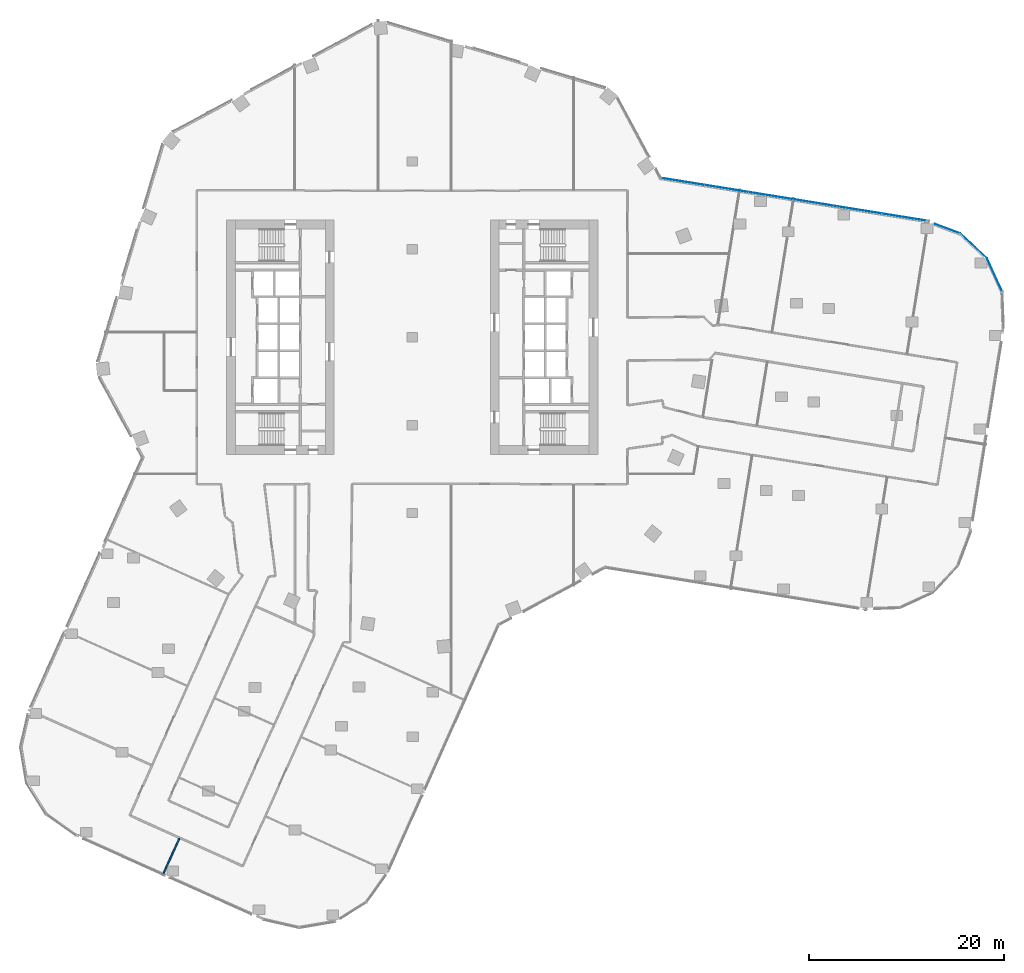
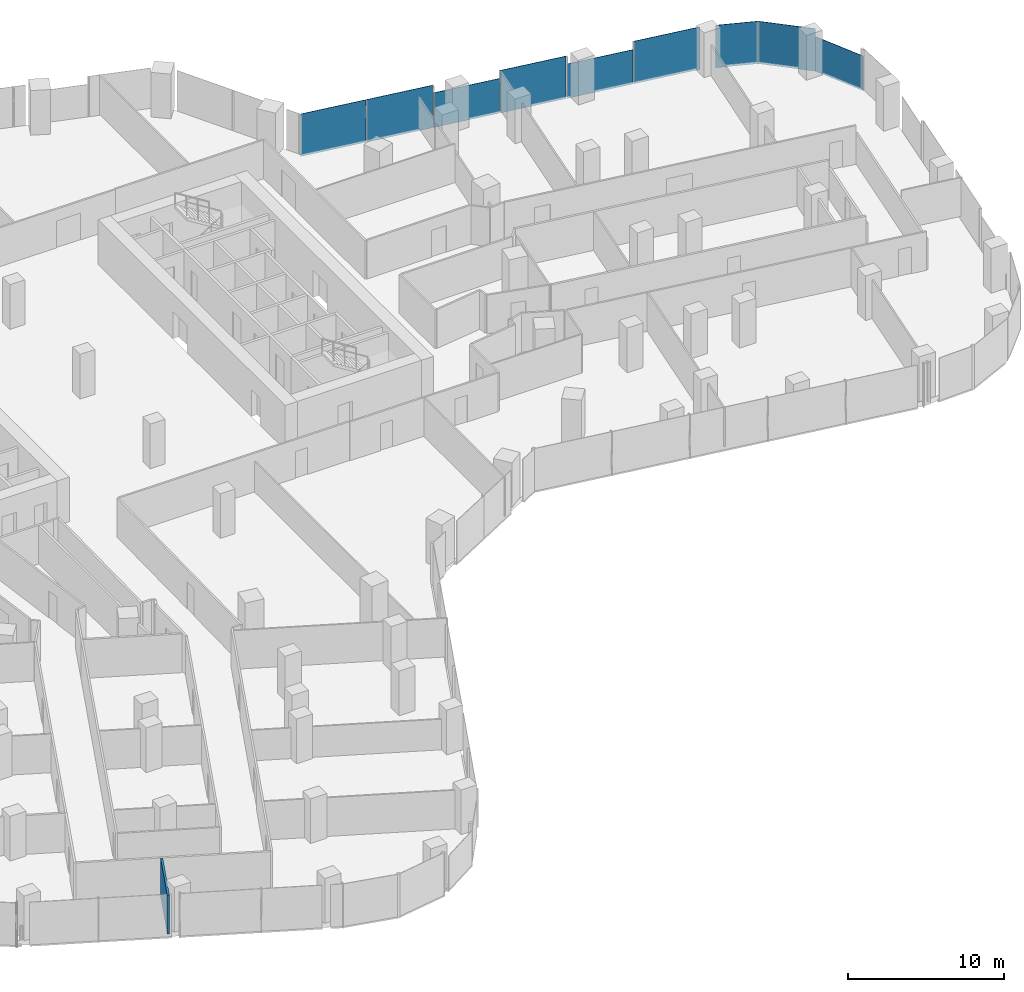
# One storey, part 24 of 34: 9 plates, 1 wall, 4 elements without a shape of their own.
"""IFC4 building model written with IfcOpenShell, lengths in metres."""

from ifc_helpers import new_model, si_unit, direction, frame, frame_2d, origin, origin_2d, place, context, subcontext, project, spatial, rectangle, extrude, material, layer, layer_set, type_object, element, aggregate, save


model = new_model("IFC4")

# Units and contexts
model_context = context("Model", 3, precision=1e-05, world=origin(), true_north=direction((0.0, 1.0)))
body_context = subcontext(model_context, "Body", "Model", "MODEL_VIEW")
ifc_project = project(units=[si_unit("LENGTHUNIT", "METRE"), si_unit("AREAUNIT", "SQUARE_METRE"), si_unit("VOLUMEUNIT", "CUBIC_METRE"), si_unit("PLANEANGLEUNIT", "RADIAN"), si_unit("MASSUNIT", "GRAM", prefix="KILO")], contexts=[model_context])

# Site, building, storey
site_placement = place(None, origin())
site = spatial("IfcSite", under=ifc_project, at=site_placement, CompositionType="ELEMENT")
building_placement = place(site_placement, origin())
building = spatial("IfcBuilding", under=site, at=building_placement, Name="Orlundy Tower", CompositionType="ELEMENT")
storey_placement = place(building_placement, frame((0.0, 0.0, 137.699951171875)))
storey = spatial("IfcBuildingStorey", under=building, at=storey_placement, Name="L35", CompositionType="ELEMENT", Elevation=137.699951171875)

# Curtain wall, plates
ifc_material_1 = material(Name="Aluminium bronze anodised", Category="aluminium")
curtain_wall_type = type_object("IfcCurtainWallType", Name="CW1 wall", PredefinedType="NOTDEFINED", material=ifc_material_1)
curtain_wall_1_placement = place(storey_placement, origin())
curtain_wall_1 = element("IfcCurtainWall", 1, at=curtain_wall_1_placement, inside=storey, type_object=curtain_wall_type, Name="CW1 run 06", PredefinedType="NOTDEFINED")
ifc_material_2 = material(Name="Tinted glass", Category="glass")
ifc_layer_1 = layer(ifc_material_2, 0.031982421875)
ifc_layer_set_1 = layer_set([ifc_layer_1], Name="CW1 glass panel 32")
plate_type = type_object("IfcPlateType", Name="CW1 glass panel 32", PredefinedType="CURTAIN_PANEL", material=ifc_layer_set_1)
plate_1_placement = place(storey_placement, frame((27.685791015625, 15.95703125, -0.280029296875), z_axis=(0.0, 0.0, 1.0), x_axis=(0.987229883184, -0.159302095871, 0.0)))
plate_1 = element("IfcPlate", 2, at=plate_1_placement, type_object=plate_type, Name="CW1 panel", PredefinedType="CURTAIN_PANEL", context=body_context, shape_type="SweptSolid", body=[
    extrude(rectangle(XDim=4.48291015625, YDim=0.031982421875, at=origin_2d()), origin(), (0.0, 0.0, 1.0), 3.330078125),
])
plate_2_placement = place(storey_placement, frame((32.1884765625, 15.23046875, -0.280029296875), z_axis=(0.0, 0.0, 1.0), x_axis=(0.987229883184, -0.159302095871, 0.0)))
plate_2 = element("IfcPlate", 3, at=plate_2_placement, type_object=plate_type, Name="CW1 panel", PredefinedType="CURTAIN_PANEL", context=body_context, shape_type="SweptSolid", body=[
    extrude(rectangle(XDim=4.538818359375, YDim=0.031982421875, at=origin_2d()), origin(), (0.0, 0.0, 1.0), 3.330078125),
])
plate_3_placement = place(storey_placement, frame((36.718505859375, 14.49951171875, -0.280029296875), z_axis=(0.0, 0.0, 1.0), x_axis=(0.987229883184, -0.159302095871, 0.0)))
plate_3 = element("IfcPlate", 4, at=plate_3_placement, type_object=plate_type, Name="CW1 panel", PredefinedType="CURTAIN_PANEL", context=body_context, shape_type="SweptSolid", body=[
    extrude(rectangle(XDim=4.538818359375, YDim=0.031982421875, at=origin_2d()), origin(), (0.0, 0.0, 1.0), 2.7138671875),
])
plate_4_placement = place(storey_placement, frame((41.248779296875, 13.768310546875, -0.280029296875), z_axis=(0.0, 0.0, 1.0), x_axis=(0.987229883184, -0.159302095871, 0.0)))
plate_4 = element("IfcPlate", 5, at=plate_4_placement, type_object=plate_type, Name="CW1 panel", PredefinedType="CURTAIN_PANEL", context=body_context, shape_type="SweptSolid", body=[
    extrude(rectangle(XDim=4.538818359375, YDim=0.031982421875, at=origin_2d()), origin(), (0.0, 0.0, 1.0), 3.330078125),
])
plate_5_placement = place(storey_placement, frame((45.77880859375, 13.037353515625, -0.280029296875), z_axis=(0.0, 0.0, 1.0), x_axis=(0.987229883184, -0.159302095871, 0.0)))
plate_5 = element("IfcPlate", 6, at=plate_5_placement, type_object=plate_type, Name="CW1 panel", PredefinedType="CURTAIN_PANEL", context=body_context, shape_type="SweptSolid", body=[
    extrude(rectangle(XDim=4.538818359375, YDim=0.031982421875, at=origin_2d()), origin(), (0.0, 0.0, 1.0), 2.68994140625),
])
plate_6_placement = place(storey_placement, frame((50.31689453125, 12.30517578125, -0.280029296875), z_axis=(0.0, 0.0, 1.0), x_axis=(0.987229883184, -0.159302095871, 0.0)))
plate_6 = element("IfcPlate", 7, at=plate_6_placement, type_object=plate_type, Name="CW1 panel", PredefinedType="CURTAIN_PANEL", context=body_context, shape_type="SweptSolid", body=[
    extrude(rectangle(XDim=4.5546875, YDim=0.031982421875, at=origin_2d()), origin(), (0.0, 0.0, 1.0), 3.330078125),
])
aggregate(curtain_wall_1, [plate_1, plate_2, plate_3, plate_4, plate_5, plate_6])

# Curtain wall, plate
curtain_wall_2_placement = place(storey_placement, origin())
curtain_wall_2 = element("IfcCurtainWall", 8, at=curtain_wall_2_placement, inside=storey, type_object=curtain_wall_type, Name="CW1 run 07", PredefinedType="NOTDEFINED")
plate_7_placement = place(storey_placement, frame((54.81201171875, 11.111083984375, -0.280029296875), z_axis=(0.0, 0.0, 1.0), x_axis=(0.937158252964, -0.348904584236, 0.0)))
plate_7 = element("IfcPlate", 9, at=plate_7_placement, type_object=plate_type, Name="CW1 panel", PredefinedType="CURTAIN_PANEL", context=body_context, shape_type="SweptSolid", body=[
    extrude(rectangle(XDim=2.767822265625, YDim=0.031982421875, at=origin_2d()), origin(), (0.0, 0.0, 1.0), 3.330078125),
])
aggregate(curtain_wall_2, [plate_7])

curtain_wall_3_placement = place(storey_placement, origin())
curtain_wall_3 = element("IfcCurtainWall", 10, at=curtain_wall_3_placement, inside=storey, type_object=curtain_wall_type, Name="CW1 run 08", PredefinedType="NOTDEFINED")
plate_8_placement = place(storey_placement, frame((57.490234375, 9.343994140625, -0.280029296875), z_axis=(0.0, 0.0, 1.0), x_axis=(0.732399444763, -0.680875211262, 0.0)))
plate_8 = element("IfcPlate", 11, at=plate_8_placement, type_object=plate_type, Name="CW1 panel", PredefinedType="CURTAIN_PANEL", context=body_context, shape_type="SweptSolid", body=[
    extrude(rectangle(XDim=3.772216796875, YDim=0.031982421875, at=origin_2d()), origin(), (0.0, 0.0, 1.0), 3.330078125),
])
aggregate(curtain_wall_3, [plate_8])

curtain_wall_4_placement = place(storey_placement, origin())
curtain_wall_4 = element("IfcCurtainWall", 12, at=curtain_wall_4_placement, inside=storey, type_object=curtain_wall_type, Name="CW1 run 09", PredefinedType="NOTDEFINED")
plate_9_placement = place(storey_placement, frame((59.65625, 6.3447265625, -0.280029296875), z_axis=(0.0, 0.0, 1.0), x_axis=(0.415976507053, -0.909375360113, 0.0)))
plate_9 = element("IfcPlate", 13, at=plate_9_placement, type_object=plate_type, Name="CW1 panel", PredefinedType="CURTAIN_PANEL", context=body_context, shape_type="SweptSolid", body=[
    extrude(rectangle(XDim=3.772216796875, YDim=0.031982421875, at=origin_2d()), origin(), (0.0, 0.0, 1.0), 2.7138671875),
])
aggregate(curtain_wall_4, [plate_9])

# Wall
ifc_material_3 = material(Name="Blockwork shaft wall", Category="masonry")
ifc_layer_2 = layer(ifc_material_3, 0.14990234375)
ifc_layer_set_2 = layer_set([ifc_layer_2], Name="Floor shaft wall 150")
wall_type = type_object("IfcWallType", Name="Floor shaft wall 150", PredefinedType="PARTITIONING", material=ifc_layer_set_2)
wall_placement = place(storey_placement, frame((-25.554931640625, -55.118896484375, 0.0), z_axis=(0.0, 0.0, 1.0), x_axis=(0.409369884525, 0.912368509783, 0.0)))
element("IfcWall", 14, at=wall_placement, inside=storey, type_object=wall_type, Name="wall-int-L35-056", PredefinedType="PARTITIONING", context=body_context, shape_type="SweptSolid", body=[
    extrude(rectangle(XDim=4.174560546875, YDim=0.14990234375, at=frame_2d((2.08740234375, 0.0))), origin(), (0.0, 0.0, 1.0), 3.030029296875),
])

save(model, "model.ifc")
